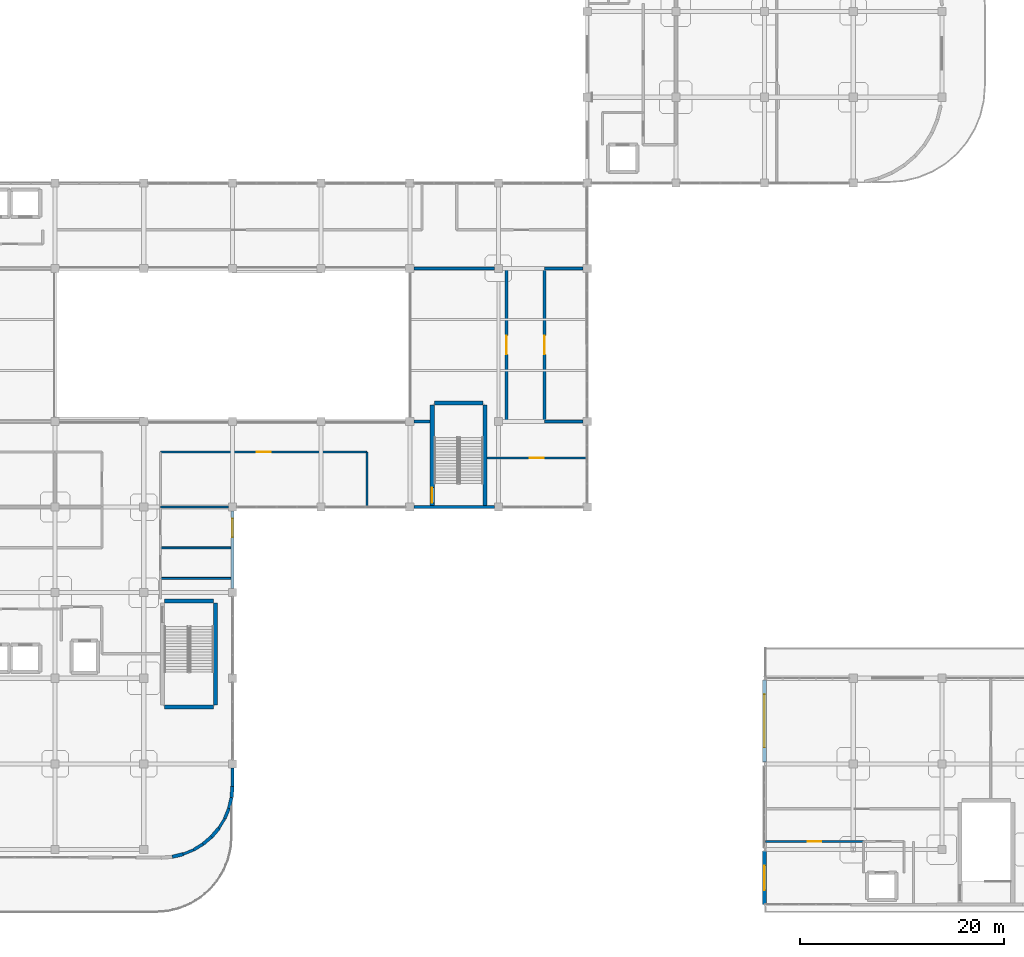
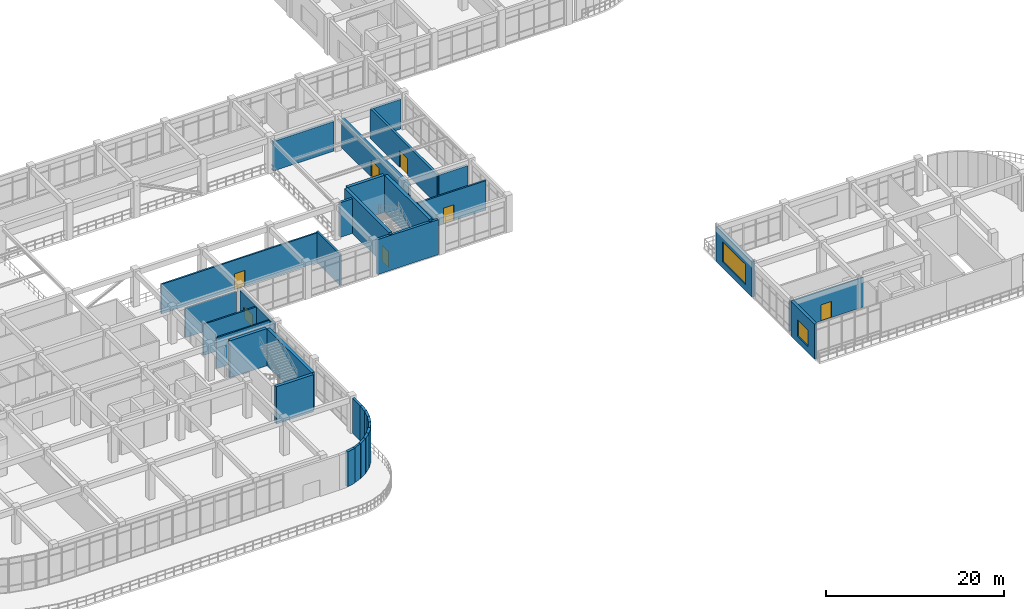
# One storey, part 81 of 96: 33 walls, 6 doors, 3 windows, 9 openings.
"""IFC4 building model written with IfcOpenShell, lengths in metres."""

from ifc_helpers import new_model, si_unit, derived_unit, direction, frame, frame_2d, origin, place, context, subcontext, project, spatial, rectangle, extrude, material, layer, layer_set, type_object, element, fill, save


model = new_model("IFC4")

# Units and contexts
model_context = context("Model", 3, precision=1e-05, world=origin(), true_north=direction((0.0, 1.0)))
body_context = subcontext(model_context, "Body", "Model", "MODEL_VIEW")
ifc_project = project(units=[si_unit("LENGTHUNIT", "METRE"), si_unit("AREAUNIT", "SQUARE_METRE"), si_unit("VOLUMEUNIT", "CUBIC_METRE"), si_unit("PLANEANGLEUNIT", "RADIAN"), si_unit("MASSUNIT", "GRAM", prefix="KILO"), derived_unit("THERMALTRANSMITTANCEUNIT", [(si_unit("MASSUNIT", "GRAM", prefix="KILO"), 1), (si_unit("TIMEUNIT", "SECOND"), -3), (si_unit("THERMODYNAMICTEMPERATUREUNIT", "KELVIN"), -1)])], contexts=[model_context])

# Site, building, storey
site_placement = place(None, origin())
site = spatial("IfcSite", under=ifc_project, at=site_placement, CompositionType="ELEMENT")
building_placement = place(site_placement, origin())
building = spatial("IfcBuilding", under=site, at=building_placement, Name="Qinzheling Arcade Emporium", CompositionType="ELEMENT")
storey_placement = place(building_placement, frame((0.0, 0.0, 21.60009765625)))
storey = spatial("IfcBuildingStorey", under=building, at=storey_placement, Name="L05", CompositionType="ELEMENT", Elevation=21.60009765625)

# Wall, opening, door
ifc_material_1 = material(Name="Double-stud acoustic gypsum board partition")
ifc_layer_1 = layer(ifc_material_1, 0.215087890625, Name="Double-stud acoustic gypsum board partition")
ifc_layer_set_1 = layer_set([ifc_layer_1], Name="Double-stud acoustic gypsum board partition")
wall_type_1 = type_object("IfcWallType", Name="Acoustic Corridor Partition Wall 215", PredefinedType="PARTITIONING", material=ifc_layer_set_1)
wall_1_placement = place(storey_placement, frame((131.5, 9.199951171875, 0.0), z_axis=(0.0, 0.0, 1.0), x_axis=(-1.0, 0.0, 0.0)))
wall_1 = element("IfcWall", 1, at=wall_1_placement, inside=storey, type_object=wall_type_1, Name="Interior Wall WL-L05-INT-0725", PredefinedType="PARTITIONING", context=body_context, shape_type="SweptSolid", body=[
    extrude(rectangle(XDim=9.60009765625, YDim=0.215087890625, at=frame_2d((4.800048828125, 0.0))), origin(), (0.0, 0.0, 1.0), 4.059814453125),
])
opening_1_placement = place(wall_1_placement, frame((4.125, 0.0, 0.0)))
opening_1 = element("IfcOpeningElement", 2, at=opening_1_placement, cuts=wall_1, Name="Opening FD05", PredefinedType="OPENING", context=body_context, shape_type="SweptSolid", body=[
    extrude(rectangle(XDim=1.35009765625, YDim=2.199951171875, at=frame_2d((0.675048828125, 1.10009765625))), frame((0.0, 0.11767578125, 0.0), z_axis=(0.0, -1.0, 0.0), x_axis=(1.0, 0.0, 0.0)), (0.0, 0.0, 1.0), 0.235107421875),
])
ifc_material_2 = material(Name="Class B fire-rated stainless-clad door")
door_type_1 = type_object("IfcDoorType", Name="Kitchen Fire-Rated Service Door 1350x2200", OperationType="NOTDEFINED", PredefinedType="DOOR", material=ifc_material_2)
door_1_placement = place(opening_1_placement, origin())
door_1 = element("IfcDoor", 3, at=door_1_placement, inside=storey, type_object=door_type_1, Name="FD05 Interior Door DR-L05-INT-0220", OperationType="SINGLE_SWING_LEFT", OverallHeight=2.199951171875, OverallWidth=1.35009765625, PredefinedType="DOOR", context=body_context, shape_type="SweptSolid", body=[
    extrude(rectangle(XDim=1.35009765625, YDim=2.199951171875, at=frame_2d((0.675048828125, 1.10009765625))), frame((0.0, 0.02490234375, 0.0), z_axis=(0.0, -1.0, 0.0), x_axis=(1.0, 0.0, 0.0)), (0.0, 0.0, 1.0), 0.050048828125),
])
fill(opening_1, door_1)

wall_2_placement = place(storey_placement, frame((104.300048828125, 46.800048828125, 0.0), z_axis=(0.0, 0.0, 1.0), x_axis=(-1.0, 0.0, 0.0)))
wall_2 = element("IfcWall", 4, at=wall_2_placement, inside=storey, type_object=wall_type_1, Name="Interior Wall WL-L05-INT-0759", PredefinedType="PARTITIONING", context=body_context, shape_type="SweptSolid", body=[
    extrude(rectangle(XDim=9.705078125, YDim=0.215087890625, at=frame_2d((4.8525390625, 0.0))), origin(), (0.0, 0.0, 1.0), 4.059814453125),
])
opening_2_placement = place(wall_2_placement, frame((4.177001953125, 0.0, 0.0)))
opening_2 = element("IfcOpeningElement", 5, at=opening_2_placement, cuts=wall_2, Name="Opening FD05", PredefinedType="OPENING", context=body_context, shape_type="SweptSolid", body=[
    extrude(rectangle(XDim=1.35009765625, YDim=2.199951171875, at=frame_2d((0.675048828125, 1.10009765625))), frame((0.0, 0.11767578125, 0.0), z_axis=(0.0, -1.0, 0.0), x_axis=(1.0, 0.0, 0.0)), (0.0, 0.0, 1.0), 0.235107421875),
])
door_2_placement = place(opening_2_placement, origin())
door_2 = element("IfcDoor", 6, at=door_2_placement, inside=storey, type_object=door_type_1, Name="FD05 Interior Door DR-L05-INT-0212", OperationType="SINGLE_SWING_LEFT", OverallHeight=2.199951171875, OverallWidth=1.35009765625, PredefinedType="DOOR", context=body_context, shape_type="SweptSolid", body=[
    extrude(rectangle(XDim=1.35009765625, YDim=2.199951171875, at=frame_2d((0.675048828125, 1.10009765625))), frame((0.0, 0.02490234375, 0.0), z_axis=(0.0, -1.0, 0.0), x_axis=(1.0, 0.0, 0.0)), (0.0, 0.0, 1.0), 0.050048828125),
])
fill(opening_2, door_2)

# Wall
wall_3_placement = place(storey_placement, frame((82.800048828125, 42.10009765625, 0.0), z_axis=(0.0, 0.0, 1.0), x_axis=(0.0, 1.0, 0.0)))
element("IfcWall", 7, at=wall_3_placement, inside=storey, type_object=wall_type_1, Name="Interior Wall WL-L05-INT-0760", PredefinedType="PARTITIONING", context=body_context, shape_type="SweptSolid", body=[
    extrude(rectangle(XDim=5.2998046875, YDim=0.215087890625, at=frame_2d((2.64990234375, 0.0))), origin(), (0.0, 0.0, 1.0), 4.260009765625),
])

# Wall, opening, door
wall_4_placement = place(storey_placement, frame((82.800048828125, 47.39990234375, 0.0), z_axis=(0.0, 0.0, 1.0), x_axis=(-1.0, 0.0, 0.0)))
wall_4 = element("IfcWall", 8, at=wall_4_placement, inside=storey, type_object=wall_type_1, Name="Interior Wall WL-L05-INT-0761", PredefinedType="PARTITIONING", context=body_context, shape_type="SweptSolid", body=[
    extrude(rectangle(XDim=20.25, YDim=0.215087890625, at=frame_2d((10.125, 0.0))), origin(), (0.0, 0.0, 1.0), 4.059814453125),
])
opening_3_placement = place(wall_4_placement, frame((9.449951171875, 0.0, 0.0)))
opening_3 = element("IfcOpeningElement", 9, at=opening_3_placement, cuts=wall_4, Name="Opening FD05", PredefinedType="OPENING", context=body_context, shape_type="SweptSolid", body=[
    extrude(rectangle(XDim=1.35009765625, YDim=2.199951171875, at=frame_2d((0.675048828125, 1.10009765625))), frame((0.0, 0.11767578125, 0.0), z_axis=(0.0, -1.0, 0.0), x_axis=(1.0, 0.0, 0.0)), (0.0, 0.0, 1.0), 0.235107421875),
])
door_3_placement = place(opening_3_placement, origin())
door_3 = element("IfcDoor", 10, at=door_3_placement, inside=storey, type_object=door_type_1, Name="FD05 Interior Door DR-L05-INT-0213", OperationType="SINGLE_SWING_RIGHT", OverallHeight=2.199951171875, OverallWidth=1.35009765625, PredefinedType="DOOR", context=body_context, shape_type="SweptSolid", body=[
    extrude(rectangle(XDim=1.35009765625, YDim=2.199951171875, at=frame_2d((0.675048828125, 1.10009765625))), frame((0.0, 0.02490234375, 0.0), z_axis=(0.0, -1.0, 0.0), x_axis=(1.0, 0.0, 0.0)), (0.0, 0.0, 1.0), 0.050048828125),
])
fill(opening_3, door_3)

# Walls
ifc_material_3 = material(Name="Insulated aluminium-clad spandrel wall", Category="aluminium")
ifc_layer_2 = layer(ifc_material_3, 0.260009765625, Name="Insulated aluminium-clad spandrel wall", Category="aluminium")
ifc_layer_set_2 = layer_set([ifc_layer_2], Name="Insulated aluminium-clad spandrel wall")
wall_type_2 = type_object("IfcWallType", Name="Arcade Clerestory Spandrel Wall 260", PredefinedType="STANDARD", material=ifc_layer_set_2)
wall_5_placement = place(storey_placement, frame((68.8369140625, 11.422119140625, 0.0), z_axis=(0.0, 0.0, 1.0), x_axis=(-0.522744534314, -0.85248938518, 0.0)))
element("IfcWall", 11, at=wall_5_placement, inside=storey, type_object=wall_type_2, Name="Exterior Wall WL-L05-EW-0267", PredefinedType="STANDARD", context=body_context, shape_type="SweptSolid", body=[
    extrude(rectangle(XDim=1.097900390625, YDim=0.260009765625, at=frame_2d((0.548828125, 0.0))), origin(), (0.0, 0.0, 1.0), 4.789794921875),
])
wall_6_placement = place(storey_placement, frame((65.778076171875, 8.363037109375, 0.0), z_axis=(0.0, 0.0, 1.0), x_axis=(-0.924060145724, -0.382247102127, 0.0)))
element("IfcWall", 12, at=wall_6_placement, inside=storey, type_object=wall_type_2, Name="Exterior Wall WL-L05-EW-0271", PredefinedType="STANDARD", context=body_context, shape_type="SweptSolid", body=[
    extrude(rectangle(XDim=1.0986328125, YDim=0.260009765625, at=frame_2d((0.54931640625, 0.0))), origin(), (0.0, 0.0, 1.0), 4.789794921875),
])
wall_7_placement = place(storey_placement, frame((69.60009765625, 16.39794921875, 0.0), z_axis=(0.0, 0.0, 1.0), x_axis=(0.0, -1.0, 0.0)))
element("IfcWall", 13, at=wall_7_placement, inside=storey, type_object=wall_type_2, Name="Exterior Wall WL-L05-EW-0283", PredefinedType="STANDARD", context=body_context, shape_type="SweptSolid", body=[
    extrude(rectangle(XDim=1.7978515625, YDim=0.260009765625, at=frame_2d((0.89892578125, 0.0))), origin(), (0.0, 0.0, 1.0), 4.789794921875),
])
ifc_material_4 = material(Name="Demountable aluminium-and-gypsum retail partition", Category="aluminium")
ifc_layer_3 = layer(ifc_material_4, 0.1650390625, Name="Demountable aluminium-and-gypsum retail partition", Category="aluminium")
ifc_layer_set_3 = layer_set([ifc_layer_3], Name="Demountable aluminium-and-gypsum retail partition")
wall_type_3 = type_object("IfcWallType", Name="Boutique Demountable Partition Wall 165", PredefinedType="PARTITIONING", material=ifc_layer_set_3)
wall_8_placement = place(storey_placement, frame((62.550048828125, 42.0, 0.0), z_axis=(0.0, 0.0, 1.0), x_axis=(1.0, 0.0, 0.0)))
element("IfcWall", 14, at=wall_8_placement, inside=storey, type_object=wall_type_3, Name="Interior Wall WL-L05-INT-0776", PredefinedType="PARTITIONING", context=body_context, shape_type="SweptSolid", body=[
    extrude(rectangle(XDim=6.639892578125, YDim=0.1650390625, at=frame_2d((3.31982421875, 0.0))), origin(), (0.0, 0.0, 1.0), 4.059814453125),
])
ifc_material_5 = material(Name="Celadon glazed terracotta insulated spandrel", Category="masonry")
ifc_layer_4 = layer(ifc_material_5, 0.340087890625, Name="Celadon glazed terracotta insulated spandrel", Category="masonry")
ifc_layer_set_4 = layer_set([ifc_layer_4], Name="Celadon glazed terracotta insulated spandrel")
wall_type_4 = type_object("IfcWallType", Name="Celadon Spandrel Infill Wall 340", PredefinedType="STANDARD", material=ifc_layer_set_4)
wall_9_placement = place(storey_placement, frame((69.60009765625, 14.60009765625, 0.0), z_axis=(0.0, 0.0, 1.0), x_axis=(-0.078446759142, -0.996918304567, 0.0)))
element("IfcWall", 15, at=wall_9_placement, inside=storey, type_object=wall_type_4, Name="Exterior Wall WL-L05-EW-0264", PredefinedType="STANDARD", context=body_context, shape_type="SweptSolid", body=[
    extrude(rectangle(XDim=1.0986328125, YDim=0.340087890625, at=frame_2d((0.54931640625, 0.0))), origin(), (0.0, 0.0, 1.0), 4.789794921875),
])
wall_10_placement = place(storey_placement, frame((68.262939453125, 10.486083984375, 0.0), z_axis=(0.0, 0.0, 1.0), x_axis=(-0.648776363982, -0.760979125561, 0.0)))
element("IfcWall", 16, at=wall_10_placement, inside=storey, type_object=wall_type_4, Name="Exterior Wall WL-L05-EW-0268", PredefinedType="STANDARD", context=body_context, shape_type="SweptSolid", body=[
    extrude(rectangle(XDim=1.098876953125, YDim=0.340087890625, at=frame_2d((0.54931640625, 0.0))), origin(), (0.0, 0.0, 1.0), 4.789794921875),
])
wall_11_placement = place(storey_placement, frame((64.762939453125, 7.943115234375, 0.0), z_axis=(0.0, 0.0, 1.0), x_axis=(-0.972223637158, -0.234053838575, 0.0)))
element("IfcWall", 17, at=wall_11_placement, inside=storey, type_object=wall_type_4, Name="Exterior Wall WL-L05-EW-0272", PredefinedType="STANDARD", context=body_context, shape_type="SweptSolid", body=[
    extrude(rectangle(XDim=1.098388671875, YDim=0.340087890625, at=frame_2d((0.54931640625, 0.0))), origin(), (0.0, 0.0, 1.0), 4.789794921875),
])
ifc_material_6 = material(Name="Glazed cream terracotta insulated wall", Category="masonry")
ifc_layer_5 = layer(ifc_material_6, 0.320068359375, Name="Glazed cream terracotta insulated wall", Category="masonry")
ifc_layer_set_5 = layer_set([ifc_layer_5], Name="Glazed cream terracotta insulated wall")
wall_type_5 = type_object("IfcWallType", Name="Chicago Frame Infill Wall 320", PredefinedType="STANDARD", material=ifc_layer_set_5)
wall_12_placement = place(storey_placement, frame((69.513916015625, 13.5048828125, 0.0), z_axis=(0.0, 0.0, 1.0), x_axis=(-0.233843725233, -0.97227419598, 0.0)))
element("IfcWall", 18, at=wall_12_placement, inside=storey, type_object=wall_type_5, Name="Exterior Wall WL-L05-EW-0265", PredefinedType="STANDARD", context=body_context, shape_type="SweptSolid", body=[
    extrude(rectangle(XDim=1.098388671875, YDim=0.320068359375, at=frame_2d((0.54931640625, 0.0))), origin(), (0.0, 0.0, 1.0), 4.789794921875),
])
wall_13_placement = place(storey_placement, frame((67.550048828125, 9.64990234375, 0.0), z_axis=(0.0, 0.0, 1.0), x_axis=(-0.760885582332, -0.648886069044, 0.0)))
element("IfcWall", 19, at=wall_13_placement, inside=storey, type_object=wall_type_5, Name="Exterior Wall WL-L05-EW-0269", PredefinedType="STANDARD", context=body_context, shape_type="SweptSolid", body=[
    extrude(rectangle(XDim=1.0986328125, YDim=0.320068359375, at=frame_2d((0.54931640625, 0.0))), origin(), (0.0, 0.0, 1.0), 4.789794921875),
])
wall_14_placement = place(storey_placement, frame((95.298095703125, 42.0, 0.0), z_axis=(0.0, 0.0, 1.0), x_axis=(-1.0, 0.0, 0.0)))
element("IfcWall", 20, at=wall_14_placement, inside=storey, type_object=wall_type_5, Name="Exterior Wall WL-L05-EW-0281", PredefinedType="STANDARD", context=body_context, shape_type="SweptSolid", body=[
    extrude(rectangle(XDim=7.89599609375, YDim=0.320068359375, at=frame_2d((3.947998046875, 0.0))), origin(), (0.0, 0.0, 1.0), 4.789794921875),
])
ifc_material_7 = material(Name="Lightweight steel-stud gypsum partition", Category="steel")
ifc_layer_6 = layer(ifc_material_7, 0.18994140625, Name="Lightweight steel-stud gypsum partition", Category="steel")
ifc_layer_set_6 = layer_set([ifc_layer_6], Name="Lightweight steel-stud gypsum partition")
wall_type_6 = type_object("IfcWallType", Name="Department Tenant Partition Wall 190", PredefinedType="PARTITIONING", material=ifc_layer_set_6)
wall_15_placement = place(storey_placement, frame((69.445068359375, 38.0, 0.0), z_axis=(0.0, 0.0, 1.0), x_axis=(-1.0, 0.0, 0.0)))
element("IfcWall", 21, at=wall_15_placement, inside=storey, type_object=wall_type_6, Name="Interior Wall WL-L05-INT-0777", PredefinedType="PARTITIONING", context=body_context, shape_type="SweptSolid", body=[
    extrude(rectangle(XDim=6.89501953125, YDim=0.18994140625, at=frame_2d((3.447509765625, 0.0))), origin(), (0.0, 0.0, 1.0), 4.260009765625),
])

# Wall, opening, window
ifc_material_8 = material(Name="Glazed cream terracotta on Concrete C40", Category="masonry")
ifc_layer_7 = layer(ifc_material_8, 0.3798828125, Name="Glazed cream terracotta on Concrete C40", Category="masonry")
ifc_layer_set_7 = layer_set([ifc_layer_7], Name="Glazed cream terracotta on Concrete C40")
wall_type_7 = type_object("IfcWallType", Name="Glazed Cream Terracotta Structural Wall 380", PredefinedType="STANDARD", material=ifc_layer_set_7)
wall_16_placement = place(storey_placement, frame((121.800048828125, 3.0, 0.0), z_axis=(0.0, 0.0, 1.0), x_axis=(0.0, 1.0, 0.0)))
wall_16 = element("IfcWall", 22, at=wall_16_placement, inside=storey, type_object=wall_type_7, Name="Exterior Wall WL-L05-EW-0260", PredefinedType="STANDARD", context=body_context, shape_type="SweptSolid", body=[
    extrude(rectangle(XDim=5.248046875, YDim=0.3798828125, at=frame_2d((2.6240234375, 0.0))), origin(), (0.0, 0.0, 1.0), 4.789794921875),
])
opening_4_placement = place(wall_16_placement, frame((1.424072265625, 0.0, 0.85009765625)))
opening_4 = element("IfcOpeningElement", 23, at=opening_4_placement, cuts=wall_16, Name="Opening WN53", PredefinedType="OPENING", context=body_context, shape_type="SweptSolid", body=[
    extrude(rectangle(XDim=2.39990234375, YDim=2.25, at=frame_2d((1.199951171875, 1.125))), frame((0.0, 0.199951171875, 0.0), z_axis=(0.0, -1.0, 0.0), x_axis=(1.0, 0.0, 0.0)), (0.0, 0.0, 1.0), 0.39990234375),
])
ifc_material_9 = material(Name="Thermally broken aluminium frame with solar-control double glazing", Category="aluminium")
window_type_1 = type_object("IfcWindowType", Name="Chicago Tripartite Window 2400x2250", PartitioningType="TRIPLE_PANEL_VERTICAL", PredefinedType="WINDOW", material=ifc_material_9)
window_1_placement = place(opening_4_placement, origin())
window_1 = element("IfcWindow", 24, at=window_1_placement, inside=storey, type_object=window_type_1, Name="WN53 Window WN-L05-0066", OverallHeight=2.25, OverallWidth=2.39990234375, PartitioningType="TRIPLE_PANEL_VERTICAL", PredefinedType="WINDOW", context=body_context, shape_type="SweptSolid", body=[
    extrude(rectangle(XDim=2.39990234375, YDim=2.25, at=frame_2d((1.199951171875, 1.125))), frame((0.0, 0.030029296875, 0.0), z_axis=(0.0, -1.0, 0.0), x_axis=(1.0, 0.0, 0.0)), (0.0, 0.0, 1.0), 0.06005859375),
])
fill(opening_4, window_1)

ifc_layer_8 = layer(ifc_material_8, 0.360107421875, Name="Glazed cream terracotta on Concrete C40", Category="masonry")
ifc_layer_set_8 = layer_set([ifc_layer_8], Name="Glazed cream terracotta on Concrete C40")
wall_type_8 = type_object("IfcWallType", Name="Glazed Terracotta Pier Wall 360", PredefinedType="STANDARD", material=ifc_layer_set_8)
wall_17_placement = place(storey_placement, frame((121.800048828125, 17.001953125, 0.0), z_axis=(0.0, 0.0, 1.0), x_axis=(0.0, 1.0, 0.0)))
wall_17 = element("IfcWall", 25, at=wall_17_placement, inside=storey, type_object=wall_type_8, Name="Exterior Wall WL-L05-EW-0261", PredefinedType="STANDARD", context=body_context, shape_type="SweptSolid", body=[
    extrude(rectangle(XDim=8.046142578125, YDim=0.360107421875, at=frame_2d((4.02294921875, 0.0))), origin(), (0.0, 0.0, 1.0), 4.789794921875),
])
opening_5_placement = place(wall_17_placement, frame((1.423095703125, 0.0, 0.85009765625)))
opening_5 = element("IfcOpeningElement", 26, at=opening_5_placement, cuts=wall_17, Name="Opening WN02", PredefinedType="OPENING", context=body_context, shape_type="SweptSolid", body=[
    extrude(rectangle(XDim=5.199951171875, YDim=2.75, at=frame_2d((2.60009765625, 1.375))), frame((0.0, 0.18994140625, 0.0), z_axis=(0.0, -1.0, 0.0), x_axis=(1.0, 0.0, 0.0)), (0.0, 0.0, 1.0), 0.380126953125),
])
window_type_2 = type_object("IfcWindowType", Name="Chicago Tripartite Window 5200x2750", PartitioningType="TRIPLE_PANEL_VERTICAL", PredefinedType="WINDOW", material=ifc_material_9)
window_2_placement = place(opening_5_placement, origin())
window_2 = element("IfcWindow", 27, at=window_2_placement, inside=storey, type_object=window_type_2, Name="WN02 Window WN-L05-0067", OverallHeight=2.75, OverallWidth=5.199951171875, PartitioningType="TRIPLE_PANEL_VERTICAL", PredefinedType="WINDOW", context=body_context, shape_type="SweptSolid", body=[
    extrude(rectangle(XDim=5.199951171875, YDim=2.75, at=frame_2d((2.60009765625, 1.375))), frame((0.0, 0.030029296875, 0.0), z_axis=(0.0, -1.0, 0.0), x_axis=(1.0, 0.0, 0.0)), (0.0, 0.0, 1.0), 0.06005859375),
])
fill(opening_5, window_2)

# Walls
ifc_material_10 = material(Name="Concrete C50", Category="concrete")
ifc_layer_9 = layer(ifc_material_10, 0.39990234375, Name="Concrete C50", Category="concrete")
ifc_layer_set_9 = layer_set([ifc_layer_9], Name="Concrete C50")
wall_type_9 = type_object("IfcWallType", Name="RC Stair Core Shear Wall 400 C50", PredefinedType="SHEAR", material=ifc_layer_set_9)
wall_18_placement = place(storey_placement, frame((67.93994140625, 32.60009765625, 0.0), z_axis=(0.0, 0.0, 1.0), x_axis=(0.0, -1.0, 0.0)))
element("IfcWall", 28, at=wall_18_placement, inside=storey, type_object=wall_type_9, Name="Stair Core Wall WL-L05-ST01-EAST", PredefinedType="SHEAR", context=body_context, shape_type="SweptSolid", body=[
    extrude(rectangle(XDim=10.0, YDim=0.39990234375, at=frame_2d((5.0, 0.0))), origin(), (0.0, 0.0, 1.0), 5.099853515625),
])
for number, where, z_axis, x_axis, name in (
    (29, (67.739990234375, 22.39990234375, 0.0), (0.0, 0.0, 1.0), (-1.0, 0.0, 0.0), "Stair Core Wall WL-L05-ST01-SOUTH"),
    (30, (62.949951171875, 32.800048828125, 0.0), (0.0, 0.0, 1.0), (1.0, 0.0, 0.0), "Stair Core Wall WL-L05-ST01-NORTH"),
):
    element("IfcWall", number, at=place(storey_placement, frame(where, z_axis=z_axis, x_axis=x_axis)), inside=storey, type_object=wall_type_9, Name=name, PredefinedType="SHEAR", context=body_context, shape_type="SweptSolid", body=[
        extrude(rectangle(XDim=4.7900390625, YDim=0.39990234375, at=frame_2d((2.39501953125, 0.0))), origin(), (0.0, 0.0, 1.0), 5.099853515625),
    ])

# Wall, opening, door
wall_19_placement = place(storey_placement, frame((89.199951171875, 42.0, 0.0), z_axis=(0.0, 0.0, 1.0), x_axis=(0.0, 1.0, 0.0)))
wall_19 = element("IfcWall", 31, at=wall_19_placement, inside=storey, type_object=wall_type_9, Name="Stair Core Wall WL-L05-ST04-WEST", PredefinedType="SHEAR", context=body_context, shape_type="SweptSolid", body=[
    extrude(rectangle(XDim=10.0, YDim=0.39990234375, at=frame_2d((5.0, 0.0))), origin(), (0.0, 0.0, 1.0), 5.099853515625),
])
opening_6_placement = place(wall_19_placement, frame((0.409912109375, 0.0, 0.0)))
opening_6 = element("IfcOpeningElement", 32, at=opening_6_placement, cuts=wall_19, Name="Opening FD01", PredefinedType="OPENING", context=body_context, shape_type="SweptSolid", body=[
    extrude(rectangle(XDim=1.5, YDim=2.199951171875, at=frame_2d((0.75, 1.10009765625))), frame((0.0, 0.2099609375, 0.0), z_axis=(0.0, -1.0, 0.0), x_axis=(1.0, 0.0, 0.0)), (0.0, 0.0, 1.0), 0.419921875),
])
ifc_material_11 = material(Name="Class A fire-rated steel double door", Category="steel")
door_type_2 = type_object("IfcDoorType", Name="Stairwell Smoke-Proof Fire Door 1500x2200", OperationType="DOUBLE_DOOR_SINGLE_SWING", PredefinedType="DOOR", material=ifc_material_11)
door_4_placement = place(opening_6_placement, origin())
door_4 = element("IfcDoor", 33, at=door_4_placement, inside=storey, type_object=door_type_2, Name="FD01 Stairwell Fire Door DR-L05-ST04-FD", OperationType="DOUBLE_DOOR_SINGLE_SWING", OverallHeight=2.199951171875, OverallWidth=1.5, PredefinedType="DOOR", context=body_context, shape_type="SweptSolid", body=[
    extrude(rectangle(XDim=1.5, YDim=2.199951171875, at=frame_2d((0.75, 1.10009765625))), frame((0.0, 0.02490234375, 0.0), z_axis=(0.0, -1.0, 0.0), x_axis=(1.0, 0.0, 0.0)), (0.0, 0.0, 1.0), 0.050048828125),
])
fill(opening_6, door_4)

# Walls
wall_20_placement = place(storey_placement, frame((94.389892578125, 52.0, 0.0), z_axis=(0.0, 0.0, 1.0), x_axis=(0.0, -1.0, 0.0)))
element("IfcWall", 34, at=wall_20_placement, inside=storey, type_object=wall_type_9, Name="Stair Core Wall WL-L05-ST04-EAST", PredefinedType="SHEAR", context=body_context, shape_type="SweptSolid", body=[
    extrude(rectangle(XDim=10.0, YDim=0.39990234375, at=frame_2d((5.0, 0.0))), origin(), (0.0, 0.0, 1.0), 5.099853515625),
])
wall_21_placement = place(storey_placement, frame((89.39990234375, 52.199951171875, 0.0), z_axis=(0.0, 0.0, 1.0), x_axis=(1.0, 0.0, 0.0)))
element("IfcWall", 35, at=wall_21_placement, inside=storey, type_object=wall_type_9, Name="Stair Core Wall WL-L05-ST04-NORTH", PredefinedType="SHEAR", context=body_context, shape_type="SweptSolid", body=[
    extrude(rectangle(XDim=4.7900390625, YDim=0.39990234375, at=frame_2d((2.39501953125, 0.0))), origin(), (0.0, 0.0, 1.0), 5.099853515625),
])
ifc_material_12 = material(Name="Autoclaved aerated concrete masonry with fire plaster", Category="masonry")
ifc_layer_10 = layer(ifc_material_12, 0.31005859375, Name="Autoclaved aerated concrete masonry with fire plaster", Category="masonry")
ifc_layer_set_10 = layer_set([ifc_layer_10], Name="Autoclaved aerated concrete masonry with fire plaster")
wall_type_10 = type_object("IfcWallType", Name="Retail Compartment Fire Wall 310 C40", PredefinedType="STANDARD", material=ifc_layer_set_10)
wall_22_placement = place(storey_placement, frame((103.989990234375, 65.39990234375, 0.0), z_axis=(0.0, 0.0, 1.0), x_axis=(-1.0, 0.0, 0.0)))
element("IfcWall", 36, at=wall_22_placement, inside=storey, type_object=wall_type_10, Name="Interior Wall WL-L05-INT-0769", PredefinedType="STANDARD", context=body_context, shape_type="SweptSolid", body=[
    extrude(rectangle(XDim=3.7900390625, YDim=0.31005859375, at=frame_2d((1.89501953125, 0.0))), origin(), (0.0, 0.0, 1.0), 4.059814453125),
])

# Wall, opening, door
wall_23_placement = place(storey_placement, frame((100.199951171875, 65.39990234375, 0.0), z_axis=(0.0, 0.0, 1.0), x_axis=(0.0, -1.0, 0.0)))
wall_23 = element("IfcWall", 37, at=wall_23_placement, inside=storey, type_object=wall_type_10, Name="Interior Wall WL-L05-INT-0770", PredefinedType="STANDARD", context=body_context, shape_type="SweptSolid", body=[
    extrude(rectangle(XDim=15.0, YDim=0.31005859375, at=frame_2d((7.5, 0.0))), origin(), (0.0, 0.0, 1.0), 4.059814453125),
])
opening_7_placement = place(wall_23_placement, frame((6.574951171875, 0.0, 0.0)))
opening_7 = element("IfcOpeningElement", 38, at=opening_7_placement, cuts=wall_23, Name="Opening FD03", PredefinedType="OPENING", context=body_context, shape_type="SweptSolid", body=[
    extrude(rectangle(XDim=1.85009765625, YDim=2.300048828125, at=frame_2d((0.925048828125, 1.14990234375))), frame((0.0, 0.1650390625, 0.0), z_axis=(0.0, -1.0, 0.0), x_axis=(1.0, 0.0, 0.0)), (0.0, 0.0, 1.0), 0.330078125),
])
door_type_3 = type_object("IfcDoorType", Name="Stockroom Double Fire Door 1850x2300", OperationType="DOUBLE_DOOR_SINGLE_SWING", PredefinedType="DOOR", material=ifc_material_11)
door_5_placement = place(opening_7_placement, origin())
door_5 = element("IfcDoor", 39, at=door_5_placement, inside=storey, type_object=door_type_3, Name="FD03 Interior Door DR-L05-INT-0217", OperationType="DOUBLE_DOOR_SINGLE_SWING", OverallHeight=2.300048828125, OverallWidth=1.85009765625, PredefinedType="DOOR", context=body_context, shape_type="SweptSolid", body=[
    extrude(rectangle(XDim=1.85009765625, YDim=2.300048828125, at=frame_2d((0.925048828125, 1.14990234375))), frame((0.0, 0.02490234375, 0.0), z_axis=(0.0, -1.0, 0.0), x_axis=(1.0, 0.0, 0.0)), (0.0, 0.0, 1.0), 0.050048828125),
])
fill(opening_7, door_5)

# Walls
wall_24_placement = place(storey_placement, frame((100.199951171875, 50.39990234375, 0.0), z_axis=(0.0, 0.0, 1.0), x_axis=(1.0, 0.0, 0.0)))
element("IfcWall", 40, at=wall_24_placement, inside=storey, type_object=wall_type_10, Name="Interior Wall WL-L05-INT-0771", PredefinedType="STANDARD", context=body_context, shape_type="SweptSolid", body=[
    extrude(rectangle(XDim=3.7900390625, YDim=0.31005859375, at=frame_2d((1.89501953125, 0.0))), origin(), (0.0, 0.0, 1.0), 4.059814453125),
])
wall_25_placement = place(storey_placement, frame((87.409912109375, 50.39990234375, 0.0), z_axis=(0.0, 0.0, 1.0), x_axis=(1.0, 0.0, 0.0)))
element("IfcWall", 41, at=wall_25_placement, inside=storey, type_object=wall_type_10, Name="Interior Wall WL-L05-INT-0772", PredefinedType="STANDARD", context=body_context, shape_type="SweptSolid", body=[
    extrude(rectangle(XDim=1.585205078125, YDim=0.31005859375, at=frame_2d((0.79248046875, 0.0))), origin(), (0.0, 0.0, 1.0), 4.760009765625),
])

# Wall, opening, door
wall_26_placement = place(storey_placement, frame((96.5, 50.39990234375, 0.0), z_axis=(0.0, 0.0, 1.0), x_axis=(0.0, 1.0, 0.0)))
wall_26 = element("IfcWall", 42, at=wall_26_placement, inside=storey, type_object=wall_type_10, Name="Interior Wall WL-L05-INT-0773", PredefinedType="STANDARD", context=body_context, shape_type="SweptSolid", body=[
    extrude(rectangle(XDim=15.0, YDim=0.31005859375, at=frame_2d((7.5, 0.0))), origin(), (0.0, 0.0, 1.0), 4.059814453125),
])
opening_8_placement = place(wall_26_placement, frame((6.574951171875, 0.0, 0.0)))
opening_8 = element("IfcOpeningElement", 43, at=opening_8_placement, cuts=wall_26, Name="Opening FD03", PredefinedType="OPENING", context=body_context, shape_type="SweptSolid", body=[
    extrude(rectangle(XDim=1.85009765625, YDim=2.300048828125, at=frame_2d((0.925048828125, 1.14990234375))), frame((0.0, 0.1650390625, 0.0), z_axis=(0.0, -1.0, 0.0), x_axis=(1.0, 0.0, 0.0)), (0.0, 0.0, 1.0), 0.330078125),
])
door_6_placement = place(opening_8_placement, origin())
door_6 = element("IfcDoor", 44, at=door_6_placement, inside=storey, type_object=door_type_3, Name="FD03 Interior Door DR-L05-INT-0218", OperationType="DOUBLE_DOOR_SINGLE_SWING", OverallHeight=2.300048828125, OverallWidth=1.85009765625, PredefinedType="DOOR", context=body_context, shape_type="SweptSolid", body=[
    extrude(rectangle(XDim=1.85009765625, YDim=2.300048828125, at=frame_2d((0.925048828125, 1.14990234375))), frame((0.0, 0.02490234375, 0.0), z_axis=(0.0, -1.0, 0.0), x_axis=(1.0, 0.0, 0.0)), (0.0, 0.0, 1.0), 0.050048828125),
])
fill(opening_8, door_6)

# Walls
wall_27_placement = place(storey_placement, frame((95.2900390625, 65.39990234375, 0.0), z_axis=(0.0, 0.0, 1.0), x_axis=(-1.0, 0.0, 0.0)))
element("IfcWall", 45, at=wall_27_placement, inside=storey, type_object=wall_type_10, Name="Interior Wall WL-L05-INT-0774", PredefinedType="STANDARD", context=body_context, shape_type="SweptSolid", body=[
    extrude(rectangle(XDim=7.880126953125, YDim=0.31005859375, at=frame_2d((3.93994140625, 0.0))), origin(), (0.0, 0.0, 1.0), 4.059814453125),
])
ifc_material_13 = material(Name="Double-board salon partition")
ifc_layer_11 = layer(ifc_material_13, 0.175048828125, Name="Double-board salon partition")
ifc_layer_set_11 = layer_set([ifc_layer_11], Name="Double-board salon partition")
wall_type_11 = type_object("IfcWallType", Name="Salon Acoustic Partition Wall 175", PredefinedType="PARTITIONING", material=ifc_layer_set_11)
wall_28_placement = place(storey_placement, frame((62.550048828125, 35.0, 0.0), z_axis=(0.0, 0.0, 1.0), x_axis=(1.0, 0.0, 0.0)))
element("IfcWall", 46, at=wall_28_placement, inside=storey, type_object=wall_type_11, Name="Interior Wall WL-L05-INT-0782", PredefinedType="PARTITIONING", context=body_context, shape_type="SweptSolid", body=[
    extrude(rectangle(XDim=6.89501953125, YDim=0.175048828125, at=frame_2d((3.447509765625, 0.0))), origin(), (0.0, 0.0, 1.0), 4.260009765625),
])
ifc_layer_12 = layer(ifc_material_6, 0.300048828125, Name="Glazed cream terracotta insulated wall", Category="masonry")
ifc_layer_set_12 = layer_set([ifc_layer_12], Name="Glazed cream terracotta insulated wall")
wall_type_12 = type_object("IfcWallType", Name="Terrace Facade Infill Wall 300", PredefinedType="STANDARD", material=ifc_layer_set_12)
wall_29_placement = place(storey_placement, frame((69.257080078125, 12.43701171875, 0.0), z_axis=(0.0, 0.0, 1.0), x_axis=(-0.382515381652, -0.923949123491, 0.0)))
element("IfcWall", 47, at=wall_29_placement, inside=storey, type_object=wall_type_12, Name="Exterior Wall WL-L05-EW-0266", PredefinedType="STANDARD", context=body_context, shape_type="SweptSolid", body=[
    extrude(rectangle(XDim=1.098388671875, YDim=0.300048828125, at=frame_2d((0.54931640625, 0.0))), origin(), (0.0, 0.0, 1.0), 4.789794921875),
])
wall_30_placement = place(storey_placement, frame((66.714111328125, 8.93701171875, 0.0), z_axis=(0.0, 0.0, 1.0), x_axis=(-0.85248938518, -0.522744534314, 0.0)))
element("IfcWall", 48, at=wall_30_placement, inside=storey, type_object=wall_type_12, Name="Exterior Wall WL-L05-EW-0270", PredefinedType="STANDARD", context=body_context, shape_type="SweptSolid", body=[
    extrude(rectangle(XDim=1.097900390625, YDim=0.300048828125, at=frame_2d((0.548828125, 0.0))), origin(), (0.0, 0.0, 1.0), 4.789794921875),
])

# Wall, opening, window
wall_31_placement = place(storey_placement, frame((69.60009765625, 41.597900390625, 0.0), z_axis=(0.0, 0.0, 1.0), x_axis=(0.0, -1.0, 0.0)))
wall_31 = element("IfcWall", 49, at=wall_31_placement, inside=storey, type_object=wall_type_12, Name="Exterior Wall WL-L05-EW-0282", PredefinedType="STANDARD", context=body_context, shape_type="SweptSolid", body=[
    extrude(rectangle(XDim=7.595947265625, YDim=0.300048828125, at=frame_2d((3.7978515625, 0.0))), origin(), (0.0, 0.0, 1.0), 4.2548828125),
])
opening_9_placement = place(wall_31_placement, frame((0.7451171875, 0.0, 0.85009765625)))
opening_9 = element("IfcOpeningElement", 50, at=opening_9_placement, cuts=wall_31, Name="Opening WN62", PredefinedType="OPENING", context=body_context, shape_type="SweptSolid", body=[
    extrude(rectangle(XDim=1.800048828125, YDim=1.60009765625, at=frame_2d((0.89990234375, 0.800048828125))), frame((0.0, 0.16015625, 0.0), z_axis=(0.0, -1.0, 0.0), x_axis=(1.0, 0.0, 0.0)), (0.0, 0.0, 1.0), 0.320068359375),
])
window_type_3 = type_object("IfcWindowType", Name="Chicago Tripartite Window 1800x1600", PartitioningType="TRIPLE_PANEL_VERTICAL", PredefinedType="WINDOW", material=ifc_material_9)
window_3_placement = place(opening_9_placement, origin())
window_3 = element("IfcWindow", 51, at=window_3_placement, inside=storey, type_object=window_type_3, Name="WN62 Window WN-L05-0070", OverallHeight=1.60009765625, OverallWidth=1.800048828125, PartitioningType="TRIPLE_PANEL_VERTICAL", PredefinedType="WINDOW", context=body_context, shape_type="SweptSolid", body=[
    extrude(rectangle(XDim=1.800048828125, YDim=1.60009765625, at=frame_2d((0.89990234375, 0.800048828125))), frame((0.0, 0.030029296875, 0.0), z_axis=(0.0, -1.0, 0.0), x_axis=(1.0, 0.0, 0.0)), (0.0, 0.0, 1.0), 0.06005859375),
])
fill(opening_9, window_3)

save(model, "model.ifc")
